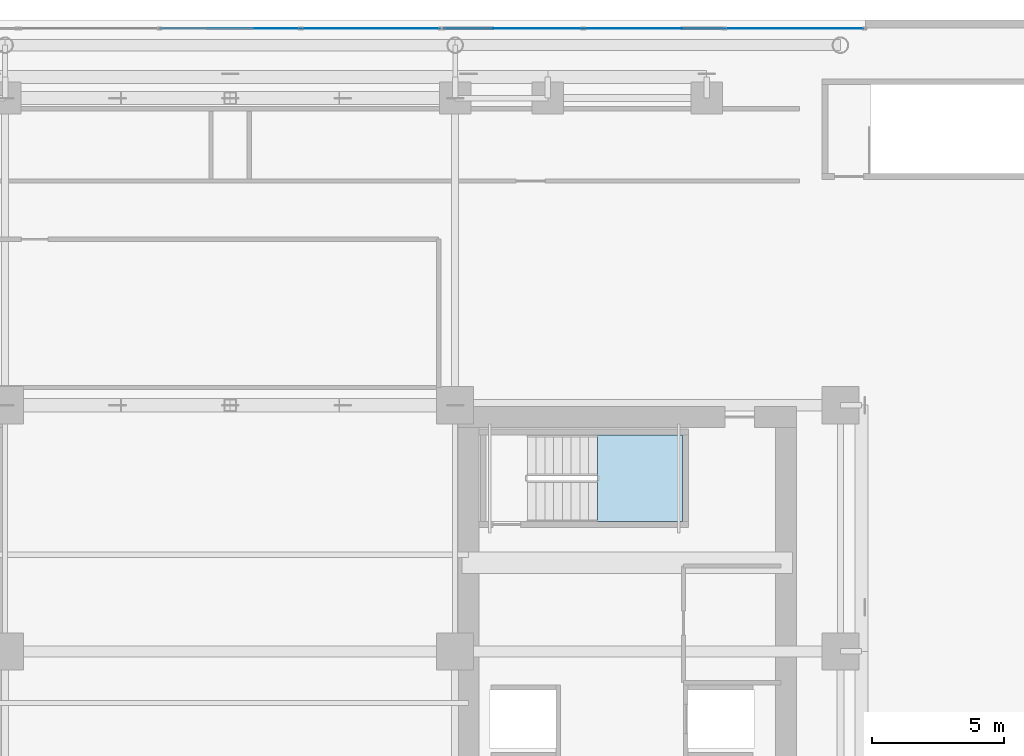
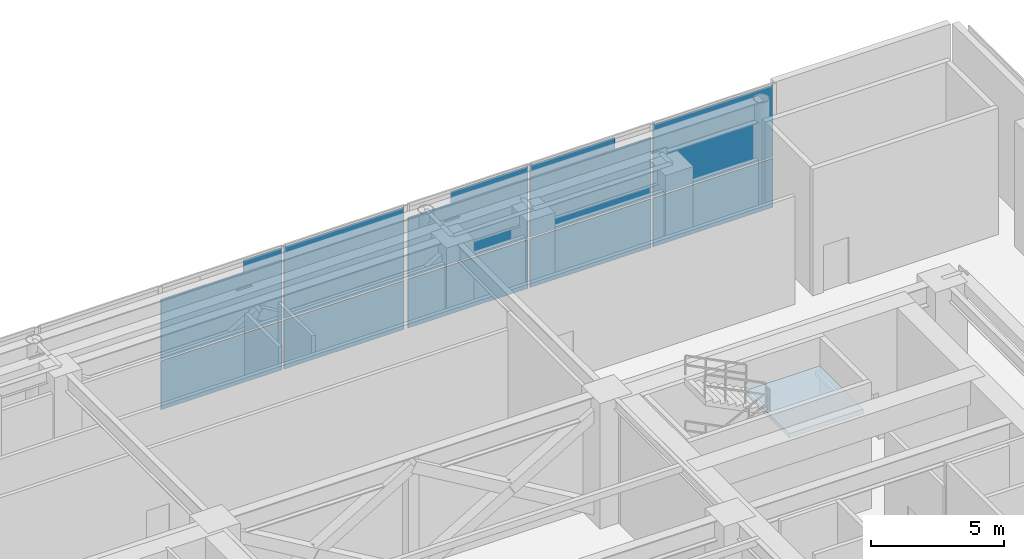
# One storey, part 18 of 29: 13 plates, 1 slab, 3 elements without a shape of their own.
"""IFC4 building model written with IfcOpenShell, lengths in metres."""

from ifc_helpers import new_model, si_unit, direction, frame, origin, origin_2d, place, context, subcontext, project, spatial, polyline, rectangle, outline, extrude, source, transform, mapped, material, layer, layer_set, type_object, element, aggregate, save


model = new_model("IFC4")

# Units and contexts
model_context = context("Model", 3, precision=1e-05, world=origin(), true_north=direction((0.0, 1.0)))
body_context = subcontext(model_context, "Body", "Model", "MODEL_VIEW")
ifc_project = project(units=[si_unit("LENGTHUNIT", "METRE"), si_unit("AREAUNIT", "SQUARE_METRE"), si_unit("VOLUMEUNIT", "CUBIC_METRE"), si_unit("PLANEANGLEUNIT", "RADIAN"), si_unit("MASSUNIT", "GRAM", prefix="KILO")], contexts=[model_context])

# Site, building, storey
site_placement = place(None, origin())
site = spatial("IfcSite", under=ifc_project, at=site_placement, CompositionType="ELEMENT")
building_placement = place(site_placement, origin())
building = spatial("IfcBuilding", under=site, at=building_placement, Name="Ocotamira Hotel", CompositionType="ELEMENT")
storey_placement = place(building_placement, frame((0.0, 0.0, 28.800048828125)))
storey = spatial("IfcBuildingStorey", under=building, at=storey_placement, Name="L06", CompositionType="ELEMENT", Elevation=28.800048828125)

# Stair, slab
ifc_material_1 = material(Name="Concrete C40/50", Category="concrete")
stair_type = type_object("IfcStairType", Name="ST-CORE-1560", PredefinedType="HALF_TURN_STAIR", material=ifc_material_1)
stair_placement = place(storey_placement, origin())
stair = element("IfcStair", 1, at=stair_placement, inside=storey, type_object=stair_type, Name="L06 Exit Stair ST-4", PredefinedType="HALF_TURN_STAIR")
ifc_layer_1 = layer(ifc_material_1, 0.199951171875)
ifc_layer_set_1 = layer_set([ifc_layer_1], Name="Concrete C40/50")
slab_type = type_object("IfcSlabType", Name="SLB-LAND-200", PredefinedType="LANDING", material=ifc_layer_set_1)
slab_placement = place(storey_placement, frame((0.0, 0.0, 4.300048828125)))
slab = element("IfcSlab", 2, at=slab_placement, type_object=slab_type, Name="ST-4 landing 3", PredefinedType="LANDING", context=body_context, shape_type="SweptSolid", body=[
    extrude(outline(polyline([(45.8701171875, 33.050048828125), (49.090087890625, 33.050048828125), (49.090087890625, 36.330078125), (45.8701171875, 36.330078125), (45.8701171875, 33.050048828125)])), origin(), (0.0, 0.0, 1.0), 0.199951171875),
])
aggregate(stair, [slab])

# Curtain wall, plate
ifc_material_2 = material(Name="Anodised pale-metal aluminium and solar glass", Category="aluminium")
ifc_layer_2 = layer(ifc_material_2, 0.239990234375)
ifc_layer_set_2 = layer_set([ifc_layer_2], Name="Anodised pale-metal aluminium and solar glass")
curtain_wall_type = type_object("IfcCurtainWallType", Name="CW-SYS5-SKY", PredefinedType="NOTDEFINED", material=ifc_layer_set_2)
curtain_wall_1_placement = place(storey_placement, origin())
curtain_wall_1 = element("IfcCurtainWall", 3, at=curtain_wall_1_placement, inside=storey, type_object=curtain_wall_type, Name="L06 Curtain Wall CW-5 CW-L06-N2", PredefinedType="NOTDEFINED")
ifc_material_3 = material(Name="Double-silver low-E insulated solar glass", Category="glass")
ifc_layer_3 = layer(ifc_material_3, 0.031982421875)
ifc_layer_set_3 = layer_set([ifc_layer_3], Name="Double-silver low-E insulated solar glass")
plate_type = type_object("IfcPlateType", Name="CWP-VISION-32", PredefinedType="CURTAIN_PANEL", material=ifc_layer_set_3)
shared_shape_1 = source(origin(), body_context, "Body", "SweptSolid", [
    extrude(rectangle(XDim=5.21337890625, YDim=0.031982421875, at=origin_2d()), origin(), (0.0, 0.0, 1.0), 2.237548828125),
])
plate_1_placement = place(storey_placement, frame((37.313232421875, 51.679931640625, 0.07470703125), z_axis=(0.0, 0.0, 1.0), x_axis=(1.0, 0.0, 0.0)))
plate_1 = element("IfcPlate", 4, at=plate_1_placement, type_object=plate_type, Name="CW-5 panel 3.1", PredefinedType="CURTAIN_PANEL", context=body_context, shape_type="MappedRepresentation", body=[
    mapped(shared_shape_1, transform((0.0, 0.0, 0.0), scale=1.0)),
])

# Curtain wall, plates
curtain_wall_2_placement = place(storey_placement, origin())
curtain_wall_2 = element("IfcCurtainWall", 5, at=curtain_wall_2_placement, inside=storey, type_object=curtain_wall_type, Name="L06 Curtain Wall CW-5 CW-L06-N3", PredefinedType="NOTDEFINED")
plate_2_placement = place(storey_placement, frame((42.686767578125, 51.679931640625, 0.07470703125), z_axis=(0.0, 0.0, 1.0), x_axis=(1.0, 0.0, 0.0)))
plate_2 = element("IfcPlate", 6, at=plate_2_placement, type_object=plate_type, Name="CW-5 panel 1.1", PredefinedType="CURTAIN_PANEL", context=body_context, shape_type="MappedRepresentation", body=[
    mapped(shared_shape_1, transform((0.0, 0.0, 0.0), scale=1.0)),
])
plate_3_placement = place(storey_placement, frame((53.313232421875, 51.679931640625, 0.07470703125), z_axis=(0.0, 0.0, 1.0), x_axis=(1.0, 0.0, 0.0)))
plate_3 = element("IfcPlate", 7, at=plate_3_placement, type_object=plate_type, Name="CW-5 panel 3.1", PredefinedType="CURTAIN_PANEL", context=body_context, shape_type="MappedRepresentation", body=[
    mapped(shared_shape_1, transform((0.0, 0.0, 0.0), scale=1.0)),
])

# Plate
shared_shape_2 = source(origin(), body_context, "Body", "SweptSolid", [
    extrude(rectangle(XDim=5.25341796875, YDim=0.031982421875, at=origin_2d()), origin(), (0.0, 0.0, 1.0), 2.237548828125),
])
plate_4_placement = place(storey_placement, frame((32.0, 51.679931640625, 0.07470703125), z_axis=(0.0, 0.0, 1.0), x_axis=(1.0, 0.0, 0.0)))
plate_4 = element("IfcPlate", 8, at=plate_4_placement, type_object=plate_type, Name="CW-5 panel 2.1", PredefinedType="CURTAIN_PANEL", context=body_context, shape_type="MappedRepresentation", body=[
    mapped(shared_shape_2, transform((0.0, 0.0, 0.0), scale=1.0)),
])

plate_5_placement = place(storey_placement, frame((48.0, 51.679931640625, 0.07470703125), z_axis=(0.0, 0.0, 1.0), x_axis=(1.0, 0.0, 0.0)))
plate_5 = element("IfcPlate", 9, at=plate_5_placement, type_object=plate_type, Name="CW-5 panel 2.1", PredefinedType="CURTAIN_PANEL", context=body_context, shape_type="MappedRepresentation", body=[
    mapped(shared_shape_2, transform((0.0, 0.0, 0.0), scale=1.0)),
])

shared_shape_3 = source(origin(), body_context, "Body", "SweptSolid", [
    extrude(rectangle(XDim=5.21337890625, YDim=0.031982421875, at=origin_2d()), origin(), (0.0, 0.0, 1.0), 3.28759765625),
])
plate_6_placement = place(storey_placement, frame((37.313232421875, 51.679931640625, 2.387451171875), z_axis=(0.0, 0.0, 1.0), x_axis=(1.0, 0.0, 0.0)))
plate_6 = element("IfcPlate", 10, at=plate_6_placement, type_object=plate_type, Name="CW-5 panel 3.2", PredefinedType="CURTAIN_PANEL", context=body_context, shape_type="MappedRepresentation", body=[
    mapped(shared_shape_3, transform((0.0, 0.0, 0.0), scale=1.0)),
])

plate_7_placement = place(storey_placement, frame((53.313232421875, 51.679931640625, 2.387451171875), z_axis=(0.0, 0.0, 1.0), x_axis=(1.0, 0.0, 0.0)))
plate_7 = element("IfcPlate", 11, at=plate_7_placement, type_object=plate_type, Name="CW-5 panel 3.2", PredefinedType="CURTAIN_PANEL", context=body_context, shape_type="MappedRepresentation", body=[
    mapped(shared_shape_3, transform((0.0, 0.0, 0.0), scale=1.0)),
])

shared_shape_4 = source(origin(), body_context, "Body", "SweptSolid", [
    extrude(rectangle(XDim=5.25341796875, YDim=0.031982421875, at=origin_2d()), origin(), (0.0, 0.0, 1.0), 2.74560546875),
])
plate_8_placement = place(storey_placement, frame((32.0, 51.679931640625, 2.387451171875), z_axis=(0.0, 0.0, 1.0), x_axis=(1.0, 0.0, 0.0)))
plate_8 = element("IfcPlate", 12, at=plate_8_placement, type_object=plate_type, Name="CW-5 panel 2.2.1", PredefinedType="CURTAIN_PANEL", context=body_context, shape_type="MappedRepresentation", body=[
    mapped(shared_shape_4, transform((0.0, 0.0, 0.0), scale=1.0)),
])

plate_9_placement = place(storey_placement, frame((48.0, 51.679931640625, 2.387451171875), z_axis=(0.0, 0.0, 1.0), x_axis=(1.0, 0.0, 0.0)))
plate_9 = element("IfcPlate", 13, at=plate_9_placement, type_object=plate_type, Name="CW-5 panel 2.2.1", PredefinedType="CURTAIN_PANEL", context=body_context, shape_type="MappedRepresentation", body=[
    mapped(shared_shape_4, transform((0.0, 0.0, 0.0), scale=1.0)),
])

shared_shape_5 = source(origin(), body_context, "Body", "SweptSolid", [
    extrude(rectangle(XDim=3.6875, YDim=0.031982421875, at=origin_2d()), origin(), (0.0, 0.0, 1.0), 0.5419921875),
])
plate_10_placement = place(storey_placement, frame((47.217041015625, 51.679931640625, 5.133056640625), z_axis=(0.0, 0.0, 1.0), x_axis=(1.0, 0.0, 0.0)))
plate_10 = element("IfcPlate", 14, at=plate_10_placement, type_object=plate_type, Name="CW-5 panel 2.2.2", PredefinedType="CURTAIN_PANEL", context=body_context, shape_type="MappedRepresentation", body=[
    mapped(shared_shape_5, transform((0.0, 0.0, 0.0), scale=1.0)),
])

shared_shape_6 = source(origin(), body_context, "Body", "SweptSolid", [
    extrude(rectangle(XDim=5.21337890625, YDim=0.031982421875, at=origin_2d()), origin(), (0.0, 0.0, 1.0), 2.74560546875),
])
plate_11_placement = place(storey_placement, frame((42.686767578125, 51.679931640625, 2.387451171875), z_axis=(0.0, 0.0, 1.0), x_axis=(1.0, 0.0, 0.0)))
plate_11 = element("IfcPlate", 15, at=plate_11_placement, type_object=plate_type, Name="CW-5 panel 1.2.1", PredefinedType="CURTAIN_PANEL", context=body_context, shape_type="MappedRepresentation", body=[
    mapped(shared_shape_6, transform((0.0, 0.0, 0.0), scale=1.0)),
])

shared_shape_7 = source(origin(), body_context, "Body", "SweptSolid", [
    extrude(rectangle(XDim=3.354248046875, YDim=0.031982421875, at=origin_2d()), origin(), (0.0, 0.0, 1.0), 0.5419921875),
])
plate_12_placement = place(storey_placement, frame((43.6162109375, 51.679931640625, 5.133056640625), z_axis=(0.0, 0.0, 1.0), x_axis=(1.0, 0.0, 0.0)))
plate_12 = element("IfcPlate", 16, at=plate_12_placement, type_object=plate_type, Name="CW-5 panel 1.2.2", PredefinedType="CURTAIN_PANEL", context=body_context, shape_type="MappedRepresentation", body=[
    mapped(shared_shape_7, transform((0.0, 0.0, 0.0), scale=1.0)),
])

aggregate(curtain_wall_2, [plate_2, plate_11, plate_12, plate_5, plate_9, plate_10, plate_3, plate_7])

shared_shape_8 = source(origin(), body_context, "Body", "SweptSolid", [
    extrude(rectangle(XDim=1.6875, YDim=0.031982421875, at=origin_2d()), origin(), (0.0, 0.0, 1.0), 0.5419921875),
])
plate_13_placement = place(storey_placement, frame((33.782958984375, 51.679931640625, 5.133056640625), z_axis=(0.0, 0.0, 1.0), x_axis=(1.0, 0.0, 0.0)))
plate_13 = element("IfcPlate", 17, at=plate_13_placement, type_object=plate_type, Name="CW-5 panel 2.2.3", PredefinedType="CURTAIN_PANEL", context=body_context, shape_type="MappedRepresentation", body=[
    mapped(shared_shape_8, transform((0.0, 0.0, 0.0), scale=1.0)),
])

aggregate(curtain_wall_1, [plate_4, plate_8, plate_13, plate_1, plate_6])

save(model, "model.ifc")
